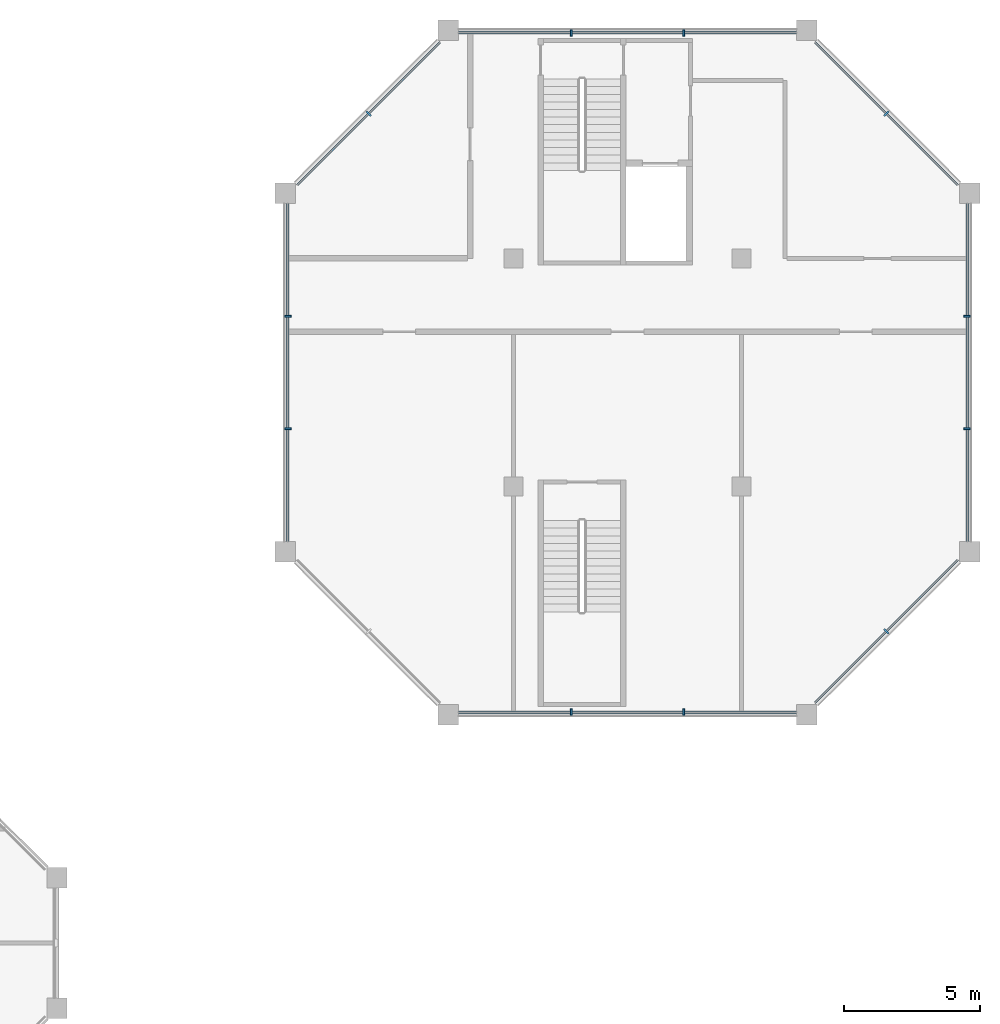
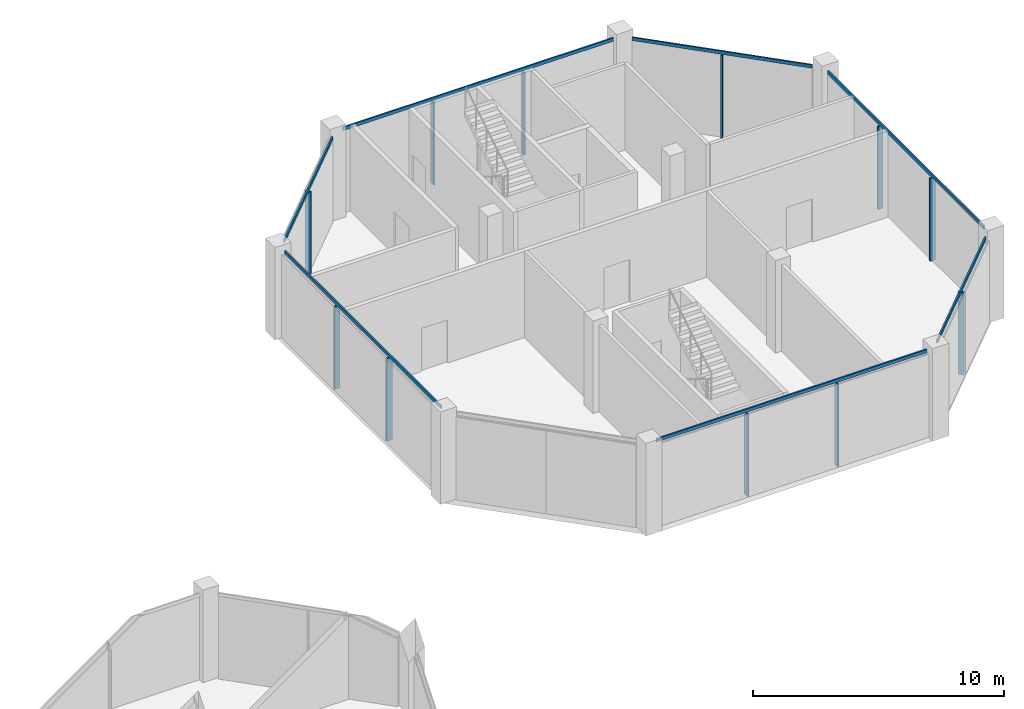
# One storey, part 3 of 9: 18 members, 7 elements without a shape of their own.
"""IFC4 building model written with IfcOpenShell, lengths in metres."""

from ifc_helpers import new_model, si_unit, direction, frame, origin, origin_2d, place, context, subcontext, project, spatial, rectangle, extrude, material, layer, layer_set, material_profile, profile_set, type_object, element, aggregate, save


model = new_model("IFC4")

# Units and contexts
model_context = context("Model", 3, precision=1e-05, world=origin(), true_north=direction((0.0, 1.0)))
body_context = subcontext(model_context, "Body", "Model", "MODEL_VIEW")
ifc_project = project(units=[si_unit("LENGTHUNIT", "METRE"), si_unit("AREAUNIT", "SQUARE_METRE"), si_unit("VOLUMEUNIT", "CUBIC_METRE"), si_unit("PLANEANGLEUNIT", "RADIAN"), si_unit("MASSUNIT", "GRAM", prefix="KILO")], contexts=[model_context])

# Site, building, storey
site_placement = place(None, origin())
site = spatial("IfcSite", under=ifc_project, at=site_placement, CompositionType="ELEMENT")
building_placement = place(site_placement, origin())
building = spatial("IfcBuilding", under=site, at=building_placement, Name="Kawkab Arch Medical Tower", CompositionType="ELEMENT")
storey_placement = place(building_placement, frame((0.0, 0.0, 345.699951171875)))
storey = spatial("IfcBuildingStorey", under=building, at=storey_placement, Name="L80", CompositionType="ELEMENT", Elevation=345.699951171875)

# Curtain wall, member
ifc_material_1 = material(Name="Bronze anodised aluminium curtain wall frame", Category="aluminium")
ifc_layer = layer(ifc_material_1, 0.159912109375)
ifc_layer_set = layer_set([ifc_layer], Name="Bronze anodised aluminium curtain wall frame")
curtain_wall_type = type_object("IfcCurtainWallType", Name="CW6 helipad lobby and crown glazing", PredefinedType="NOTDEFINED", material=ifc_layer_set)
placement = place(storey_placement, origin())
curtain_wall_1 = element("IfcCurtainWall", 1, at=placement, inside=storey, type_object=curtain_wall_type, Name="CW6 Helipad lobby and crown glazing R01", PredefinedType="NOTDEFINED")
ifc_material_2 = material(Name="Bronze anodised aluminium curtain wall frame", Category="aluminium")
ifc_material_profile_1 = material_profile(ifc_material_2, rectangle(XDim=0.239990234375, YDim=0.070068359375, at=origin_2d()), Name="AL 70x240")
ifc_profile_set_1 = profile_set([ifc_material_profile_1], Name="Bronze anodised aluminium curtain wall frame")
member_type_1 = type_object("IfcMemberType", Name="CW6 mullion 70 x 240", PredefinedType="MULLION", material=ifc_profile_set_1)
member_1_placement = place(storey_placement, frame((55.729248046875, -3.07080078125, 0.0), z_axis=(0.0, 0.0, 1.0), x_axis=(-0.707106781187, -0.707106781187, 0.0)))
member_1 = element("IfcMember", 2, at=member_1_placement, type_object=member_type_1, Name="CW6 mullion 1.1", PredefinedType="MULLION", context=body_context, shape_type="SweptSolid", body=[
    extrude(rectangle(XDim=0.239990234375, YDim=0.070068359375, at=origin_2d()), origin(), (0.0, 0.0, 1.0), 4.0400390625),
])

# Curtain wall, members
curtain_wall_2 = element("IfcCurtainWall", 3, at=placement, inside=storey, type_object=curtain_wall_type, Name="CW6 Helipad lobby and crown glazing R02", PredefinedType="NOTDEFINED")
member_2_placement = place(storey_placement, frame((48.27490234375, -0.10009765625, 0.0), z_axis=(0.0, 0.0, 1.0), x_axis=(0.0, -1.0, 0.0)))
member_2 = element("IfcMember", 4, at=member_2_placement, type_object=member_type_1, Name="CW6 mullion 1.1", PredefinedType="MULLION", context=body_context, shape_type="SweptSolid", body=[
    extrude(rectangle(XDim=0.239990234375, YDim=0.070068359375, at=origin_2d()), origin(), (0.0, 0.0, 1.0), 4.0400390625),
])
member_3_placement = place(storey_placement, frame((44.125, -0.10009765625, 0.0), z_axis=(0.0, 0.0, 1.0), x_axis=(0.0, -1.0, 0.0)))
member_3 = element("IfcMember", 5, at=member_3_placement, type_object=member_type_1, Name="CW6 mullion 1.2", PredefinedType="MULLION", context=body_context, shape_type="SweptSolid", body=[
    extrude(rectangle(XDim=0.239990234375, YDim=0.070068359375, at=origin_2d()), origin(), (0.0, 0.0, 1.0), 4.0400390625),
])

# Curtain wall, member
curtain_wall_3 = element("IfcCurtainWall", 6, at=placement, inside=storey, type_object=curtain_wall_type, Name="CW6 Helipad lobby and crown glazing R03", PredefinedType="NOTDEFINED")
member_4_placement = place(storey_placement, frame((36.670654296875, -3.07080078125, 0.0), z_axis=(0.0, 0.0, 1.0), x_axis=(0.707106781187, -0.707106781187, 0.0)))
member_4 = element("IfcMember", 7, at=member_4_placement, type_object=member_type_1, Name="CW6 mullion 1.1", PredefinedType="MULLION", context=body_context, shape_type="SweptSolid", body=[
    extrude(rectangle(XDim=0.239990234375, YDim=0.070068359375, at=origin_2d()), origin(), (0.0, 0.0, 1.0), 4.0400390625),
])

# Curtain wall, members
curtain_wall_4 = element("IfcCurtainWall", 8, at=placement, inside=storey, type_object=curtain_wall_type, Name="CW6 Helipad lobby and crown glazing R04", PredefinedType="NOTDEFINED")
member_5_placement = place(storey_placement, frame((33.699951171875, -10.52490234375, 0.0), z_axis=(0.0, 0.0, 1.0), x_axis=(1.0, 0.0, 0.0)))
member_5 = element("IfcMember", 9, at=member_5_placement, type_object=member_type_1, Name="CW6 mullion 1.1", PredefinedType="MULLION", context=body_context, shape_type="SweptSolid", body=[
    extrude(rectangle(XDim=0.239990234375, YDim=0.070068359375, at=origin_2d()), origin(), (0.0, 0.0, 1.0), 4.0400390625),
])
member_6_placement = place(storey_placement, frame((33.699951171875, -14.675048828125, 0.0), z_axis=(0.0, 0.0, 1.0), x_axis=(1.0, 0.0, 0.0)))
member_6 = element("IfcMember", 10, at=member_6_placement, type_object=member_type_1, Name="CW6 mullion 1.2", PredefinedType="MULLION", context=body_context, shape_type="SweptSolid", body=[
    extrude(rectangle(XDim=0.239990234375, YDim=0.070068359375, at=origin_2d()), origin(), (0.0, 0.0, 1.0), 4.0400390625),
])

curtain_wall_5 = element("IfcCurtainWall", 11, at=placement, inside=storey, type_object=curtain_wall_type, Name="CW6 Helipad lobby and crown glazing R06", PredefinedType="NOTDEFINED")
member_7_placement = place(storey_placement, frame((44.125, -25.10009765625, 0.0), z_axis=(0.0, 0.0, 1.0), x_axis=(0.0, 1.0, 0.0)))
member_7 = element("IfcMember", 12, at=member_7_placement, type_object=member_type_1, Name="CW6 mullion 1.1", PredefinedType="MULLION", context=body_context, shape_type="SweptSolid", body=[
    extrude(rectangle(XDim=0.239990234375, YDim=0.070068359375, at=origin_2d()), origin(), (0.0, 0.0, 1.0), 4.0400390625),
])
member_8_placement = place(storey_placement, frame((48.27490234375, -25.10009765625, 0.0), z_axis=(0.0, 0.0, 1.0), x_axis=(0.0, 1.0, 0.0)))
member_8 = element("IfcMember", 13, at=member_8_placement, type_object=member_type_1, Name="CW6 mullion 1.2", PredefinedType="MULLION", context=body_context, shape_type="SweptSolid", body=[
    extrude(rectangle(XDim=0.239990234375, YDim=0.070068359375, at=origin_2d()), origin(), (0.0, 0.0, 1.0), 4.0400390625),
])

# Curtain wall, member
curtain_wall_6 = element("IfcCurtainWall", 14, at=placement, inside=storey, type_object=curtain_wall_type, Name="CW6 Helipad lobby and crown glazing R07", PredefinedType="NOTDEFINED")
member_9_placement = place(storey_placement, frame((55.729248046875, -22.12939453125, 0.0), z_axis=(0.0, 0.0, 1.0), x_axis=(-0.707106781187, 0.707106781187, 0.0)))
member_9 = element("IfcMember", 15, at=member_9_placement, type_object=member_type_1, Name="CW6 mullion 1.1", PredefinedType="MULLION", context=body_context, shape_type="SweptSolid", body=[
    extrude(rectangle(XDim=0.239990234375, YDim=0.070068359375, at=origin_2d()), origin(), (0.0, 0.0, 1.0), 4.0400390625),
])

# Curtain wall, members
curtain_wall_7 = element("IfcCurtainWall", 16, at=placement, inside=storey, type_object=curtain_wall_type, Name="CW6 Helipad lobby and crown glazing R08", PredefinedType="NOTDEFINED")
member_10_placement = place(storey_placement, frame((58.699951171875, -14.675048828125, 0.0), z_axis=(0.0, 0.0, 1.0), x_axis=(-1.0, 0.0, 0.0)))
member_10 = element("IfcMember", 17, at=member_10_placement, type_object=member_type_1, Name="CW6 mullion 1.1", PredefinedType="MULLION", context=body_context, shape_type="SweptSolid", body=[
    extrude(rectangle(XDim=0.239990234375, YDim=0.070068359375, at=origin_2d()), origin(), (0.0, 0.0, 1.0), 4.0400390625),
])
member_11_placement = place(storey_placement, frame((58.699951171875, -10.52490234375, 0.0), z_axis=(0.0, 0.0, 1.0), x_axis=(-1.0, 0.0, 0.0)))
member_11 = element("IfcMember", 18, at=member_11_placement, type_object=member_type_1, Name="CW6 mullion 1.2", PredefinedType="MULLION", context=body_context, shape_type="SweptSolid", body=[
    extrude(rectangle(XDim=0.239990234375, YDim=0.070068359375, at=origin_2d()), origin(), (0.0, 0.0, 1.0), 4.0400390625),
])

# Member
ifc_material_3 = material(Name="Bronze anodised aluminium curtain wall frame", Category="aluminium")
ifc_material_profile_2 = material_profile(ifc_material_3, rectangle(XDim=0.070068359375, YDim=0.159912109375, at=origin_2d()), Name="AL 70x160")
ifc_profile_set_2 = profile_set([ifc_material_profile_2], Name="Bronze anodised aluminium curtain wall frame")
member_type_2 = type_object("IfcMemberType", Name="CW6 transom 160 x 70", PredefinedType="USERDEFINED", material=ifc_profile_set_2)
member_12_placement = place(storey_placement, frame((58.354248046875, -5.69580078125, 4.1201171875), z_axis=(-0.707090340093, 0.707123221898, 0.0), x_axis=(-0.707123221898, -0.707090340093, 0.0)))
member_12 = element("IfcMember", 19, at=member_12_placement, type_object=member_type_2, Name="CW6 transom 1", ObjectType="TRANSOM", PredefinedType="USERDEFINED", context=body_context, shape_type="SweptSolid", body=[
    extrude(rectangle(XDim=0.070068359375, YDim=0.159912109375, at=origin_2d()), origin(), (0.0, 0.0, 1.0), 7.4248046875),
])

aggregate(curtain_wall_1, [member_12, member_1])

member_13_placement = place(storey_placement, frame((52.425048828125, -0.10009765625, 4.1201171875), z_axis=(-1.0, 0.0, 0.0), x_axis=(0.0, -1.0, 0.0)))
member_13 = element("IfcMember", 20, at=member_13_placement, type_object=member_type_2, Name="CW6 transom 1", ObjectType="TRANSOM", PredefinedType="USERDEFINED", context=body_context, shape_type="SweptSolid", body=[
    extrude(rectangle(XDim=0.070068359375, YDim=0.159912109375, at=origin_2d()), origin(), (0.0, 0.0, 1.0), 12.449951171875),
])

aggregate(curtain_wall_2, [member_13, member_2, member_3])

member_14_placement = place(storey_placement, frame((39.295654296875, -0.44580078125, 4.1201171875), z_axis=(-0.707106781187, -0.707106781187, 0.0), x_axis=(0.707106781187, -0.707106781187, 0.0)))
member_14 = element("IfcMember", 21, at=member_14_placement, type_object=member_type_2, Name="CW6 transom 1", ObjectType="TRANSOM", PredefinedType="USERDEFINED", context=body_context, shape_type="SweptSolid", body=[
    extrude(rectangle(XDim=0.070068359375, YDim=0.159912109375, at=origin_2d()), origin(), (0.0, 0.0, 1.0), 7.424560546875),
])

aggregate(curtain_wall_3, [member_14, member_4])

member_15_placement = place(storey_placement, frame((33.699951171875, -6.375, 4.1201171875), z_axis=(0.0, -1.0, 0.0), x_axis=(1.0, 0.0, 0.0)))
member_15 = element("IfcMember", 22, at=member_15_placement, type_object=member_type_2, Name="CW6 transom 1", ObjectType="TRANSOM", PredefinedType="USERDEFINED", context=body_context, shape_type="SweptSolid", body=[
    extrude(rectangle(XDim=0.070068359375, YDim=0.159912109375, at=origin_2d()), origin(), (0.0, 0.0, 1.0), 12.449951171875),
])

aggregate(curtain_wall_4, [member_15, member_5, member_6])

member_16_placement = place(storey_placement, frame((39.97509765625, -25.10009765625, 4.1201171875), z_axis=(1.0, 0.0, 0.0), x_axis=(0.0, 1.0, 0.0)))
member_16 = element("IfcMember", 23, at=member_16_placement, type_object=member_type_2, Name="CW6 transom 1", ObjectType="TRANSOM", PredefinedType="USERDEFINED", context=body_context, shape_type="SweptSolid", body=[
    extrude(rectangle(XDim=0.070068359375, YDim=0.159912109375, at=origin_2d()), origin(), (0.0, 0.0, 1.0), 12.449951171875),
])

aggregate(curtain_wall_5, [member_16, member_7, member_8])

member_17_placement = place(storey_placement, frame((53.104248046875, -24.75439453125, 4.1201171875), z_axis=(0.707090340093, 0.707123221898, 0.0), x_axis=(-0.707123221898, 0.707090340093, 0.0)))
member_17 = element("IfcMember", 24, at=member_17_placement, type_object=member_type_2, Name="CW6 transom 1", ObjectType="TRANSOM", PredefinedType="USERDEFINED", context=body_context, shape_type="SweptSolid", body=[
    extrude(rectangle(XDim=0.070068359375, YDim=0.159912109375, at=origin_2d()), origin(), (0.0, 0.0, 1.0), 7.4248046875),
])

aggregate(curtain_wall_6, [member_17, member_9])

member_18_placement = place(storey_placement, frame((58.699951171875, -18.824951171875, 4.1201171875), z_axis=(0.0, 1.0, 0.0), x_axis=(-1.0, 0.0, 0.0)))
member_18 = element("IfcMember", 25, at=member_18_placement, type_object=member_type_2, Name="CW6 transom 1", ObjectType="TRANSOM", PredefinedType="USERDEFINED", context=body_context, shape_type="SweptSolid", body=[
    extrude(rectangle(XDim=0.070068359375, YDim=0.159912109375, at=origin_2d()), origin(), (0.0, 0.0, 1.0), 12.449951171875),
])

aggregate(curtain_wall_7, [member_18, member_10, member_11])

save(model, "model.ifc")
